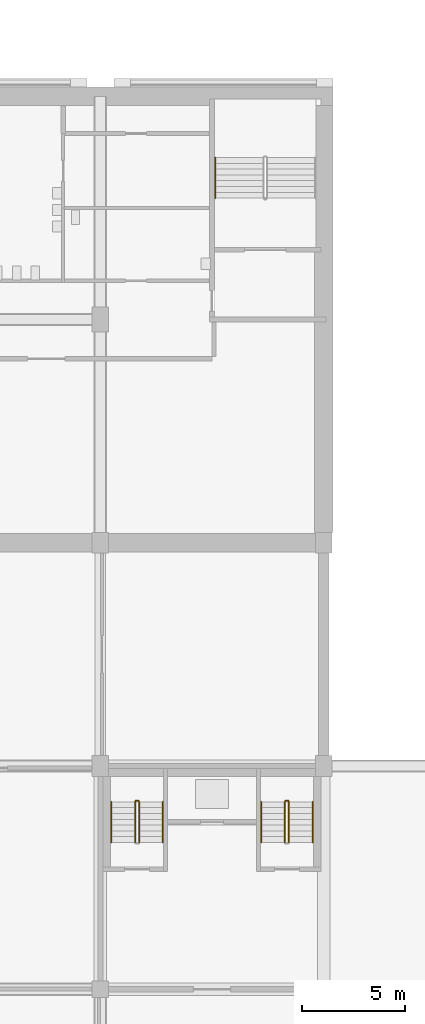
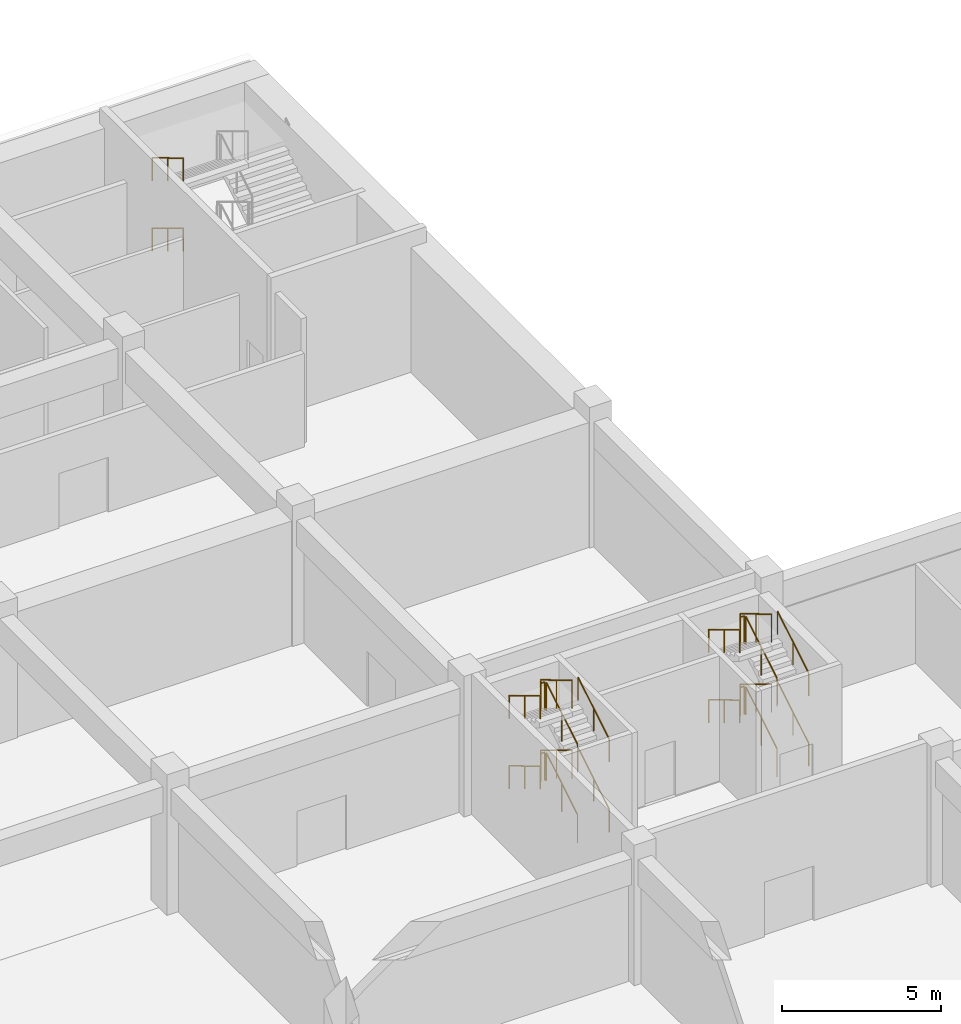
# One storey, part 96 of 101: 22 railings.
"""IFC4 building model written with IfcOpenShell, lengths in metres."""

import ifcopenshell
import ifcopenshell.guid

model = None  # the IFC model being written
_history = None  # IfcOwnerHistory: only IFC2X3 demands one
_inside = {}  # id of a spatial element -> (the spatial element, [elements in it])
_under = {}  # id of a project, library or spatial element -> (it, [spatial elements below it])
_declared = {}  # id of a project -> (the project, [libraries it declares])
_typed = {}  # id of a type object -> (the type object, [elements of that type])
_made_of = {}  # id of a material, layer set ... -> (it, [elements and type objects made of it])


def new_model(schema):
    """Start an empty IFC model of exactly this schema.

    Asked for "IFC4X3", IfcOpenShell would pick the latest addendum, in which some entities
    have other attributes; the version numbers below select the first issue.
    IFC2X3 requires an IfcOwnerHistory on every rooted entity: one is made here for all.
    """
    global model, _history
    if schema == "IFC4X3":
        model = ifcopenshell.file(schema_version=(4, 3, 0, 0))
    else:
        model = ifcopenshell.file(schema=schema)
    _inside.clear()
    _under.clear()
    _declared.clear()
    _typed.clear()
    _made_of.clear()
    _history = None
    if model.schema == "IFC2X3":
        org = make("IfcOrganization", Name="unknown")
        user = make(
            "IfcPersonAndOrganization",
            ThePerson=make("IfcPerson", FamilyName="unknown"),
            TheOrganization=org,
        )
        app = make(
            "IfcApplication",
            ApplicationDeveloper=org,
            Version="unknown",
            ApplicationFullName="unknown",
            ApplicationIdentifier="unknown",
        )
        _history = make(
            "IfcOwnerHistory",
            OwningUser=user,
            OwningApplication=app,
            ChangeAction="ADDED",
            CreationDate=0,
        )
    return model


def make(cls, **values):
    """One entity of the class cls with the attributes given. An attribute that is None is left unset."""
    return model.create_entity(
        cls, **{name: value for name, value in values.items() if value is not None}
    )


def rooted(cls, **values):
    """An entity with a GlobalId (a new one), such as an element, a storey or a relation."""
    return make(cls, GlobalId=ifcopenshell.guid.new(), OwnerHistory=_history, **values)


def si_unit(unit_type, name, prefix=None):
    """IfcSIUnit, for example si_unit("LENGTHUNIT", "METRE", prefix="MILLI")."""
    return make("IfcSIUnit", UnitType=unit_type, Prefix=prefix, Name=name)


def assignment(units):
    """IfcUnitAssignment: the units of a project."""
    return None if units is None else make("IfcUnitAssignment", Units=units)


def point(xyz):
    """IfcCartesianPoint."""
    return None if xyz is None else make("IfcCartesianPoint", Coordinates=xyz)


def direction(xyz):
    """IfcDirection."""
    return None if xyz is None else make("IfcDirection", DirectionRatios=xyz)


def frame(location, z_axis=None, x_axis=None):
    """IfcAxis2Placement3D, a coordinate frame: its origin and axes. An axis left out is left unset."""
    return make(
        "IfcAxis2Placement3D",
        Location=point(location),
        Axis=direction(z_axis),
        RefDirection=direction(x_axis),
    )


def frame_2d(location, x_axis=None):
    """IfcAxis2Placement2D, a coordinate frame in the plane: its origin and x axis."""
    return make(
        "IfcAxis2Placement2D", Location=point(location), RefDirection=direction(x_axis)
    )


def origin():
    """The frame at (0, 0, 0) with its axes left unset."""
    return frame((0.0, 0.0, 0.0))


def origin_2d():
    """The frame at (0, 0) in the plane with its x axis left unset."""
    return frame_2d((0.0, 0.0))


def place(relative_to, where):
    """IfcLocalPlacement: puts the frame where relative to a parent placement (None: the world)."""
    return make(
        "IfcLocalPlacement", PlacementRelTo=relative_to, RelativePlacement=where
    )


def context(
    kind, dimensions, precision=None, world=None, true_north=None, identifier=None
):
    """IfcGeometricRepresentationContext, for example the 3D "Model" context."""
    return make(
        "IfcGeometricRepresentationContext",
        ContextIdentifier=identifier,
        ContextType=kind,
        CoordinateSpaceDimension=dimensions,
        Precision=precision,
        WorldCoordinateSystem=world,
        TrueNorth=true_north,
    )


def subcontext(parent, identifier, kind, view, scale=None):
    """IfcGeometricRepresentationSubContext, for example "Body" below "Model"."""
    return make(
        "IfcGeometricRepresentationSubContext",
        ContextIdentifier=identifier,
        ContextType=kind,
        ParentContext=parent,
        TargetScale=scale,
        TargetView=view,
    )


def project(units=None, contexts=None):
    """IfcProject with its units and contexts."""
    return rooted(
        "IfcProject",
        Name="project",
        RepresentationContexts=contexts,
        UnitsInContext=assignment(units),
    )


def spatial(cls, under=None, at=None, **own):
    """A site, building, storey or space (cls), placed at a placement, below another one or the project."""
    s = rooted(cls, ObjectPlacement=at, **own)
    if under is not None:
        _under.setdefault(under.id(), (under, []))[1].append(s)
    return s


def profile(cls, at=None, kind="AREA", **sizes):
    """A parametric profile (cls). Its sizes go by their IFC names, for example OverallWidth=200.0."""
    return make(cls, ProfileType=kind, Position=at, **sizes)


def circle(**sizes):
    """IfcCircleProfileDef."""
    return profile("IfcCircleProfileDef", **sizes)


def extrude(swept, where, along, depth):
    """IfcExtrudedAreaSolid: the profile swept, set in the frame where, extruded along a direction by depth."""
    return make(
        "IfcExtrudedAreaSolid",
        SweptArea=swept,
        Position=where,
        ExtrudedDirection=direction(along),
        Depth=depth,
    )


def shape(context_of_items, identifier, shape_type, items):
    """IfcShapeRepresentation: the items that make up one representation, for example the "Body"."""
    return make(
        "IfcShapeRepresentation",
        ContextOfItems=context_of_items,
        RepresentationIdentifier=identifier,
        RepresentationType=shape_type,
        Items=items,
    )


def material(Name=None, Category=None):
    """IfcMaterial."""
    return make("IfcMaterial", Name=Name, Category=Category)


def made_of(thing, what):
    """Note that an element or type object is made of a material, layer set ...; save() writes the relation."""
    if what is not None:
        _made_of.setdefault(what.id(), (what, []))[1].append(thing)
    return thing


def type_object(cls, material=None, **own):
    """A type object (cls), such as IfcWallType, which elements share."""
    return made_of(rooted(cls, **own), material)


def element(
    cls,
    number,
    at=None,
    inside=None,
    cuts=None,
    type_object=None,
    material=None,
    context=None,
    identifier="Body",
    shape_type=None,
    held_by="IfcProductDefinitionShape",
    body=None,
    shapes=None,
    **own,
):
    """One element of the class cls, such as IfcWall. Its Tag is "e" and its number.

    at: its placement. inside: the storey or other place that contains it. cuts: it is an
    opening in that element (IfcRelVoidsElement). A single representation is given by context,
    identifier, shape_type and body (its items); several are given by shapes. held_by: the class
    of the entity that holds the representations. save() writes the other relations.
    """
    e = rooted(cls, Tag="e%d" % number, ObjectPlacement=at, **own)
    if body is not None:
        shapes = [shape(context, identifier, shape_type, body)]
    if shapes is not None:
        e.Representation = make(held_by, Representations=shapes)
    if inside is not None:
        _inside.setdefault(inside.id(), (inside, []))[1].append(e)
    if cuts is not None:
        rooted(
            "IfcRelVoidsElement", RelatingBuildingElement=cuts, RelatedOpeningElement=e
        )
    if type_object is not None:
        _typed.setdefault(type_object.id(), (type_object, []))[1].append(e)
    return made_of(e, material)


def aggregate(whole, parts):
    """IfcRelAggregates: a whole, such as a stair, and the parts it consists of."""
    return rooted("IfcRelAggregates", RelatingObject=whole, RelatedObjects=parts)


def save(model, path):
    """Write the relations noted so far, then the file.

    IfcRelAggregates (storeys below a building ...), IfcRelContainedInSpatialStructure (elements
    in a storey), IfcRelDefinesByType, IfcRelAssociatesMaterial and IfcRelDeclares: one each for
    every whole, place, type object, material and project.
    """
    for whole, parts in _under.values():
        aggregate(whole, parts)
    for where, things in _inside.values():
        rooted(
            "IfcRelContainedInSpatialStructure",
            RelatedElements=things,
            RelatingStructure=where,
        )
    for kind, things in _typed.values():
        rooted("IfcRelDefinesByType", RelatedObjects=things, RelatingType=kind)
    for what, things in _made_of.values():
        rooted("IfcRelAssociatesMaterial", RelatedObjects=things, RelatingMaterial=what)
    for by, libraries in _declared.values():
        rooted("IfcRelDeclares", RelatingContext=by, RelatedDefinitions=libraries)
    model.write(path)


model = new_model("IFC4")

# Units and contexts
model_context = context("Model", 3, precision=1e-05, world=origin(), true_north=direction((0.0, 1.0)))
body_context = subcontext(model_context, "Body", "Model", "MODEL_VIEW")
ifc_project = project(units=[si_unit("LENGTHUNIT", "METRE"), si_unit("AREAUNIT", "SQUARE_METRE"), si_unit("VOLUMEUNIT", "CUBIC_METRE"), si_unit("PLANEANGLEUNIT", "RADIAN"), si_unit("MASSUNIT", "GRAM", prefix="KILO")], contexts=[model_context])

# Site, building, storey
site_placement = place(None, origin())
site = spatial("IfcSite", under=ifc_project, at=site_placement, CompositionType="ELEMENT")
building_placement = place(site_placement, origin())
building = spatial("IfcBuilding", under=site, at=building_placement, Name="Magnolia Steps Interchange", CompositionType="ELEMENT")
storey_placement = place(building_placement, frame((0.0, 0.0, -5.39990234375)))
storey = spatial("IfcBuildingStorey", under=building, at=storey_placement, Name="B1", CompositionType="ELEMENT", Elevation=-5.39990234375)

# Railings
ifc_material_1 = material(Name="Stainless steel grade 304", Category="steel")
railing_type_1 = type_object("IfcRailingType", Name="Stair guard 1100", PredefinedType="GUARDRAIL", material=ifc_material_1)
railing_1_placement = place(storey_placement, frame((173.8740234375, 38.699951171875, 0.168701171875)))
element("IfcRailing", 1, at=railing_1_placement, inside=storey, type_object=railing_type_1, Name="B1 ST23 stair guard 1", PredefinedType="GUARDRAIL", context=body_context, shape_type="SweptSolid", body=[
    extrude(circle(Radius=0.02392578125, at=origin_2d()), frame((0.0, 0.0, 1.076171875), z_axis=(0.0, 0.856493463811, 0.516157869696), x_axis=(-1.0, 0.0, 0.0)), (0.0, 0.0, 1.0), 2.288330078125),
    extrude(circle(Radius=0.02099609375, at=origin_2d()), origin(), (0.0, 0.0, 1.0), 1.052001953125),
    extrude(circle(Radius=0.02099609375, at=origin_2d()), frame((0.0, 0.97998046875, 0.590576171875)), (0.0, 0.0, 1.0), 1.052001953125),
    extrude(circle(Radius=0.02099609375, at=origin_2d()), frame((0.0, 1.9599609375, 1.18115234375)), (0.0, 0.0, 1.0), 1.052001953125),
])
railing_2_placement = place(storey_placement, frame((173.85009765625, 40.7099609375, 1.349853515625)))
element("IfcRailing", 2, at=railing_2_placement, inside=storey, type_object=railing_type_1, Name="B1 ST23 stair guard 2", PredefinedType="GUARDRAIL", context=body_context, shape_type="SweptSolid", body=[
    extrude(circle(Radius=0.02392578125, at=origin_2d()), frame((0.0, 0.0, 1.076171875), z_axis=(-1.0, 0.0, 0.0), x_axis=(0.0, -1.0, 0.0)), (0.0, 0.0, 1.0), 0.150146484375),
    extrude(circle(Radius=0.02099609375, at=origin_2d()), origin(), (0.0, 0.0, 1.0), 1.052001953125),
    extrude(circle(Radius=0.02099609375, at=origin_2d()), frame((-0.150146484375, 0.0, 0.0)), (0.0, 0.0, 1.0), 1.052001953125),
])
railing_3_placement = place(storey_placement, frame((173.676025390625, 40.659912109375, 1.5185546875)))
element("IfcRailing", 3, at=railing_3_placement, inside=storey, type_object=railing_type_1, Name="B1 ST23 stair guard 3", PredefinedType="GUARDRAIL", context=body_context, shape_type="SweptSolid", body=[
    extrude(circle(Radius=0.02392578125, at=origin_2d()), frame((0.0, 0.0, 1.076171875), z_axis=(0.0, -0.856446297458, 0.516236127728), x_axis=(1.0, 0.0, 0.0)), (0.0, 0.0, 1.0), 2.28857421875),
    extrude(circle(Radius=0.02099609375, at=origin_2d()), origin(), (0.0, 0.0, 1.0), 1.052001953125),
    extrude(circle(Radius=0.02099609375, at=origin_2d()), frame((0.0, -0.97998046875, 0.5908203125)), (0.0, 0.0, 1.0), 1.052001953125),
    extrude(circle(Radius=0.02099609375, at=origin_2d()), frame((0.0, -1.9599609375, 1.181396484375)), (0.0, 0.0, 1.0), 1.052001953125),
])
railing_4_placement = place(storey_placement, frame((173.8740234375, 38.699951171875, 2.86865234375)))
element("IfcRailing", 4, at=railing_4_placement, inside=storey, type_object=railing_type_1, Name="B1 ST23 stair guard 5", PredefinedType="GUARDRAIL", context=body_context, shape_type="SweptSolid", body=[
    extrude(circle(Radius=0.02392578125, at=origin_2d()), frame((0.0, 0.0, 1.076171875), z_axis=(0.0, 0.856493463811, 0.516157869696), x_axis=(-1.0, 0.0, 0.0)), (0.0, 0.0, 1.0), 2.288330078125),
    extrude(circle(Radius=0.02099609375, at=origin_2d()), origin(), (0.0, 0.0, 1.0), 1.052001953125),
    extrude(circle(Radius=0.02099609375, at=origin_2d()), frame((0.0, 0.97998046875, 0.590576171875)), (0.0, 0.0, 1.0), 1.052001953125),
    extrude(circle(Radius=0.02099609375, at=origin_2d()), frame((0.0, 1.9599609375, 1.18115234375)), (0.0, 0.0, 1.0), 1.052001953125),
])
railing_5_placement = place(storey_placement, frame((173.85009765625, 40.7099609375, 4.0498046875)))
element("IfcRailing", 5, at=railing_5_placement, inside=storey, type_object=railing_type_1, Name="B1 ST23 stair guard 6", PredefinedType="GUARDRAIL", context=body_context, shape_type="SweptSolid", body=[
    extrude(circle(Radius=0.02392578125, at=origin_2d()), frame((0.0, 0.0, 1.076171875), z_axis=(-1.0, 0.0, 0.0), x_axis=(0.0, -1.0, 0.0)), (0.0, 0.0, 1.0), 0.150146484375),
    extrude(circle(Radius=0.02099609375, at=origin_2d()), origin(), (0.0, 0.0, 1.0), 1.052001953125),
    extrude(circle(Radius=0.02099609375, at=origin_2d()), frame((-0.150146484375, 0.0, 0.0)), (0.0, 0.0, 1.0), 1.052001953125),
])
railing_6_placement = place(storey_placement, frame((173.676025390625, 40.659912109375, 4.21875)))
element("IfcRailing", 6, at=railing_6_placement, inside=storey, type_object=railing_type_1, Name="B1 ST23 stair guard 7", PredefinedType="GUARDRAIL", context=body_context, shape_type="SweptSolid", body=[
    extrude(circle(Radius=0.02392578125, at=origin_2d()), frame((0.0, 0.0, 1.076171875), z_axis=(0.0, -0.856493463811, 0.516157869696), x_axis=(1.0, 0.0, 0.0)), (0.0, 0.0, 1.0), 2.288330078125),
    extrude(circle(Radius=0.02099609375, at=origin_2d()), origin(), (0.0, 0.0, 1.0), 1.052001953125),
    extrude(circle(Radius=0.02099609375, at=origin_2d()), frame((0.0, -0.97998046875, 0.590576171875)), (0.0, 0.0, 1.0), 1.052001953125),
    extrude(circle(Radius=0.02099609375, at=origin_2d()), frame((0.0, -1.9599609375, 1.18115234375)), (0.0, 0.0, 1.0), 1.052001953125),
])
railing_7_placement = place(storey_placement, frame((181.1240234375, 38.699951171875, 0.168701171875)))
element("IfcRailing", 7, at=railing_7_placement, inside=storey, type_object=railing_type_1, Name="B1 ST24 stair guard 1", PredefinedType="GUARDRAIL", context=body_context, shape_type="SweptSolid", body=[
    extrude(circle(Radius=0.02392578125, at=origin_2d()), frame((0.0, 0.0, 1.076171875), z_axis=(0.0, 0.856493463811, 0.516157869696), x_axis=(-1.0, 0.0, 0.0)), (0.0, 0.0, 1.0), 2.288330078125),
    extrude(circle(Radius=0.02099609375, at=origin_2d()), origin(), (0.0, 0.0, 1.0), 1.052001953125),
    extrude(circle(Radius=0.02099609375, at=origin_2d()), frame((0.0, 0.97998046875, 0.590576171875)), (0.0, 0.0, 1.0), 1.052001953125),
    extrude(circle(Radius=0.02099609375, at=origin_2d()), frame((0.0, 1.9599609375, 1.18115234375)), (0.0, 0.0, 1.0), 1.052001953125),
])
railing_8_placement = place(storey_placement, frame((181.10009765625, 40.7099609375, 1.349853515625)))
element("IfcRailing", 8, at=railing_8_placement, inside=storey, type_object=railing_type_1, Name="B1 ST24 stair guard 2", PredefinedType="GUARDRAIL", context=body_context, shape_type="SweptSolid", body=[
    extrude(circle(Radius=0.02392578125, at=origin_2d()), frame((0.0, 0.0, 1.076171875), z_axis=(-1.0, 0.0, 0.0), x_axis=(0.0, -1.0, 0.0)), (0.0, 0.0, 1.0), 0.150146484375),
    extrude(circle(Radius=0.02099609375, at=origin_2d()), origin(), (0.0, 0.0, 1.0), 1.052001953125),
    extrude(circle(Radius=0.02099609375, at=origin_2d()), frame((-0.150146484375, 0.0, 0.0)), (0.0, 0.0, 1.0), 1.052001953125),
])
railing_9_placement = place(storey_placement, frame((180.926025390625, 40.659912109375, 1.5185546875)))
element("IfcRailing", 9, at=railing_9_placement, inside=storey, type_object=railing_type_1, Name="B1 ST24 stair guard 3", PredefinedType="GUARDRAIL", context=body_context, shape_type="SweptSolid", body=[
    extrude(circle(Radius=0.02392578125, at=origin_2d()), frame((0.0, 0.0, 1.076171875), z_axis=(0.0, -0.856446297458, 0.516236127728), x_axis=(1.0, 0.0, 0.0)), (0.0, 0.0, 1.0), 2.28857421875),
    extrude(circle(Radius=0.02099609375, at=origin_2d()), origin(), (0.0, 0.0, 1.0), 1.052001953125),
    extrude(circle(Radius=0.02099609375, at=origin_2d()), frame((0.0, -0.97998046875, 0.5908203125)), (0.0, 0.0, 1.0), 1.052001953125),
    extrude(circle(Radius=0.02099609375, at=origin_2d()), frame((0.0, -1.9599609375, 1.181396484375)), (0.0, 0.0, 1.0), 1.052001953125),
])
railing_10_placement = place(storey_placement, frame((181.1240234375, 38.699951171875, 2.86865234375)))
element("IfcRailing", 10, at=railing_10_placement, inside=storey, type_object=railing_type_1, Name="B1 ST24 stair guard 5", PredefinedType="GUARDRAIL", context=body_context, shape_type="SweptSolid", body=[
    extrude(circle(Radius=0.02392578125, at=origin_2d()), frame((0.0, 0.0, 1.076171875), z_axis=(0.0, 0.856493463811, 0.516157869696), x_axis=(-1.0, 0.0, 0.0)), (0.0, 0.0, 1.0), 2.288330078125),
    extrude(circle(Radius=0.02099609375, at=origin_2d()), origin(), (0.0, 0.0, 1.0), 1.052001953125),
    extrude(circle(Radius=0.02099609375, at=origin_2d()), frame((0.0, 0.97998046875, 0.590576171875)), (0.0, 0.0, 1.0), 1.052001953125),
    extrude(circle(Radius=0.02099609375, at=origin_2d()), frame((0.0, 1.9599609375, 1.18115234375)), (0.0, 0.0, 1.0), 1.052001953125),
])
railing_11_placement = place(storey_placement, frame((181.10009765625, 40.7099609375, 4.0498046875)))
element("IfcRailing", 11, at=railing_11_placement, inside=storey, type_object=railing_type_1, Name="B1 ST24 stair guard 6", PredefinedType="GUARDRAIL", context=body_context, shape_type="SweptSolid", body=[
    extrude(circle(Radius=0.02392578125, at=origin_2d()), frame((0.0, 0.0, 1.076171875), z_axis=(-1.0, 0.0, 0.0), x_axis=(0.0, -1.0, 0.0)), (0.0, 0.0, 1.0), 0.150146484375),
    extrude(circle(Radius=0.02099609375, at=origin_2d()), origin(), (0.0, 0.0, 1.0), 1.052001953125),
    extrude(circle(Radius=0.02099609375, at=origin_2d()), frame((-0.150146484375, 0.0, 0.0)), (0.0, 0.0, 1.0), 1.052001953125),
])
railing_12_placement = place(storey_placement, frame((180.926025390625, 40.659912109375, 4.21875)))
element("IfcRailing", 12, at=railing_12_placement, inside=storey, type_object=railing_type_1, Name="B1 ST24 stair guard 7", PredefinedType="GUARDRAIL", context=body_context, shape_type="SweptSolid", body=[
    extrude(circle(Radius=0.02392578125, at=origin_2d()), frame((0.0, 0.0, 1.076171875), z_axis=(0.0, -0.856493463811, 0.516157869696), x_axis=(1.0, 0.0, 0.0)), (0.0, 0.0, 1.0), 2.288330078125),
    extrude(circle(Radius=0.02099609375, at=origin_2d()), origin(), (0.0, 0.0, 1.0), 1.052001953125),
    extrude(circle(Radius=0.02099609375, at=origin_2d()), frame((0.0, -0.97998046875, 0.590576171875)), (0.0, 0.0, 1.0), 1.052001953125),
    extrude(circle(Radius=0.02099609375, at=origin_2d()), frame((0.0, -1.9599609375, 1.18115234375)), (0.0, 0.0, 1.0), 1.052001953125),
])
ifc_material_2 = material(Name="Stainless steel grade 304", Category="steel")
railing_type_2 = type_object("IfcRailingType", Name="Stair handrail 900", PredefinedType="HANDRAIL", material=ifc_material_2)
railing_13_placement = place(storey_placement, frame((177.549072265625, 71.8349609375, 1.5185546875)))
element("IfcRailing", 13, at=railing_13_placement, inside=storey, type_object=railing_type_2, Name="B1 ST16 stair handrail 2", PredefinedType="HANDRAIL", context=body_context, shape_type="SweptSolid", body=[
    extrude(circle(Radius=0.02392578125, at=origin_2d()), frame((0.0, 0.0, 0.8759765625), z_axis=(0.0, -0.856446297458, 0.516236127728), x_axis=(1.0, 0.0, 0.0)), (0.0, 0.0, 1.0), 2.28857421875),
    extrude(circle(Radius=0.02099609375, at=origin_2d()), origin(), (0.0, 0.0, 1.0), 0.851806640625),
    extrude(circle(Radius=0.02099609375, at=origin_2d()), frame((0.0, -0.97998046875, 0.5908203125)), (0.0, 0.0, 1.0), 0.851806640625),
    extrude(circle(Radius=0.02099609375, at=origin_2d()), frame((0.0, -1.9599609375, 1.181396484375)), (0.0, 0.0, 1.0), 0.851806640625),
])
railing_14_placement = place(storey_placement, frame((177.549072265625, 71.8349609375, 4.21875)))
element("IfcRailing", 14, at=railing_14_placement, inside=storey, type_object=railing_type_2, Name="B1 ST16 stair handrail 4", PredefinedType="HANDRAIL", context=body_context, shape_type="SweptSolid", body=[
    extrude(circle(Radius=0.02392578125, at=origin_2d()), frame((0.0, 0.0, 0.8759765625), z_axis=(0.0, -0.856493463811, 0.516157869696), x_axis=(1.0, 0.0, 0.0)), (0.0, 0.0, 1.0), 2.288330078125),
    extrude(circle(Radius=0.02099609375, at=origin_2d()), origin(), (0.0, 0.0, 1.0), 0.851806640625),
    extrude(circle(Radius=0.02099609375, at=origin_2d()), frame((0.0, -0.97998046875, 0.590576171875)), (0.0, 0.0, 1.0), 0.851806640625),
    extrude(circle(Radius=0.02099609375, at=origin_2d()), frame((0.0, -1.9599609375, 1.18115234375)), (0.0, 0.0, 1.0), 0.851806640625),
])
railing_15_placement = place(storey_placement, frame((175.02587890625, 38.699951171875, 0.168701171875)))
element("IfcRailing", 15, at=railing_15_placement, inside=storey, type_object=railing_type_2, Name="B1 ST23 stair handrail 1", PredefinedType="HANDRAIL", context=body_context, shape_type="SweptSolid", body=[
    extrude(circle(Radius=0.02392578125, at=origin_2d()), frame((0.0, 0.0, 0.8759765625), z_axis=(0.0, 0.856493463811, 0.516157869696), x_axis=(-1.0, 0.0, 0.0)), (0.0, 0.0, 1.0), 2.288330078125),
    extrude(circle(Radius=0.02099609375, at=origin_2d()), origin(), (0.0, 0.0, 1.0), 0.851806640625),
    extrude(circle(Radius=0.02099609375, at=origin_2d()), frame((0.0, 0.97998046875, 0.590576171875)), (0.0, 0.0, 1.0), 0.851806640625),
    extrude(circle(Radius=0.02099609375, at=origin_2d()), frame((0.0, 1.9599609375, 1.18115234375)), (0.0, 0.0, 1.0), 0.851806640625),
])
railing_16_placement = place(storey_placement, frame((172.52392578125, 40.659912109375, 1.5185546875)))
element("IfcRailing", 16, at=railing_16_placement, inside=storey, type_object=railing_type_2, Name="B1 ST23 stair handrail 2", PredefinedType="HANDRAIL", context=body_context, shape_type="SweptSolid", body=[
    extrude(circle(Radius=0.02392578125, at=origin_2d()), frame((0.0, 0.0, 0.8759765625), z_axis=(0.0, -0.856446297458, 0.516236127728), x_axis=(1.0, 0.0, 0.0)), (0.0, 0.0, 1.0), 2.28857421875),
    extrude(circle(Radius=0.02099609375, at=origin_2d()), origin(), (0.0, 0.0, 1.0), 0.851806640625),
    extrude(circle(Radius=0.02099609375, at=origin_2d()), frame((0.0, -0.97998046875, 0.5908203125)), (0.0, 0.0, 1.0), 0.851806640625),
    extrude(circle(Radius=0.02099609375, at=origin_2d()), frame((0.0, -1.9599609375, 1.181396484375)), (0.0, 0.0, 1.0), 0.851806640625),
])
railing_17_placement = place(storey_placement, frame((175.02587890625, 38.699951171875, 2.86865234375)))
element("IfcRailing", 17, at=railing_17_placement, inside=storey, type_object=railing_type_2, Name="B1 ST23 stair handrail 3", PredefinedType="HANDRAIL", context=body_context, shape_type="SweptSolid", body=[
    extrude(circle(Radius=0.02392578125, at=origin_2d()), frame((0.0, 0.0, 0.8759765625), z_axis=(0.0, 0.856493463811, 0.516157869696), x_axis=(-1.0, 0.0, 0.0)), (0.0, 0.0, 1.0), 2.288330078125),
    extrude(circle(Radius=0.02099609375, at=origin_2d()), origin(), (0.0, 0.0, 1.0), 0.851806640625),
    extrude(circle(Radius=0.02099609375, at=origin_2d()), frame((0.0, 0.97998046875, 0.590576171875)), (0.0, 0.0, 1.0), 0.851806640625),
    extrude(circle(Radius=0.02099609375, at=origin_2d()), frame((0.0, 1.9599609375, 1.18115234375)), (0.0, 0.0, 1.0), 0.851806640625),
])
railing_18_placement = place(storey_placement, frame((172.52392578125, 40.659912109375, 4.21875)))
element("IfcRailing", 18, at=railing_18_placement, inside=storey, type_object=railing_type_2, Name="B1 ST23 stair handrail 4", PredefinedType="HANDRAIL", context=body_context, shape_type="SweptSolid", body=[
    extrude(circle(Radius=0.02392578125, at=origin_2d()), frame((0.0, 0.0, 0.8759765625), z_axis=(0.0, -0.856493463811, 0.516157869696), x_axis=(1.0, 0.0, 0.0)), (0.0, 0.0, 1.0), 2.288330078125),
    extrude(circle(Radius=0.02099609375, at=origin_2d()), origin(), (0.0, 0.0, 1.0), 0.851806640625),
    extrude(circle(Radius=0.02099609375, at=origin_2d()), frame((0.0, -0.97998046875, 0.590576171875)), (0.0, 0.0, 1.0), 0.851806640625),
    extrude(circle(Radius=0.02099609375, at=origin_2d()), frame((0.0, -1.9599609375, 1.18115234375)), (0.0, 0.0, 1.0), 0.851806640625),
])
railing_19_placement = place(storey_placement, frame((182.27587890625, 38.699951171875, 0.168701171875)))
element("IfcRailing", 19, at=railing_19_placement, inside=storey, type_object=railing_type_2, Name="B1 ST24 stair handrail 1", PredefinedType="HANDRAIL", context=body_context, shape_type="SweptSolid", body=[
    extrude(circle(Radius=0.02392578125, at=origin_2d()), frame((0.0, 0.0, 0.8759765625), z_axis=(0.0, 0.856493463811, 0.516157869696), x_axis=(-1.0, 0.0, 0.0)), (0.0, 0.0, 1.0), 2.288330078125),
    extrude(circle(Radius=0.02099609375, at=origin_2d()), origin(), (0.0, 0.0, 1.0), 0.851806640625),
    extrude(circle(Radius=0.02099609375, at=origin_2d()), frame((0.0, 0.97998046875, 0.590576171875)), (0.0, 0.0, 1.0), 0.851806640625),
    extrude(circle(Radius=0.02099609375, at=origin_2d()), frame((0.0, 1.9599609375, 1.18115234375)), (0.0, 0.0, 1.0), 0.851806640625),
])
railing_20_placement = place(storey_placement, frame((179.77392578125, 40.659912109375, 1.5185546875)))
element("IfcRailing", 20, at=railing_20_placement, inside=storey, type_object=railing_type_2, Name="B1 ST24 stair handrail 2", PredefinedType="HANDRAIL", context=body_context, shape_type="SweptSolid", body=[
    extrude(circle(Radius=0.02392578125, at=origin_2d()), frame((0.0, 0.0, 0.8759765625), z_axis=(0.0, -0.856446297458, 0.516236127728), x_axis=(1.0, 0.0, 0.0)), (0.0, 0.0, 1.0), 2.28857421875),
    extrude(circle(Radius=0.02099609375, at=origin_2d()), origin(), (0.0, 0.0, 1.0), 0.851806640625),
    extrude(circle(Radius=0.02099609375, at=origin_2d()), frame((0.0, -0.97998046875, 0.5908203125)), (0.0, 0.0, 1.0), 0.851806640625),
    extrude(circle(Radius=0.02099609375, at=origin_2d()), frame((0.0, -1.9599609375, 1.181396484375)), (0.0, 0.0, 1.0), 0.851806640625),
])
railing_21_placement = place(storey_placement, frame((182.27587890625, 38.699951171875, 2.86865234375)))
element("IfcRailing", 21, at=railing_21_placement, inside=storey, type_object=railing_type_2, Name="B1 ST24 stair handrail 3", PredefinedType="HANDRAIL", context=body_context, shape_type="SweptSolid", body=[
    extrude(circle(Radius=0.02392578125, at=origin_2d()), frame((0.0, 0.0, 0.8759765625), z_axis=(0.0, 0.856493463811, 0.516157869696), x_axis=(-1.0, 0.0, 0.0)), (0.0, 0.0, 1.0), 2.288330078125),
    extrude(circle(Radius=0.02099609375, at=origin_2d()), origin(), (0.0, 0.0, 1.0), 0.851806640625),
    extrude(circle(Radius=0.02099609375, at=origin_2d()), frame((0.0, 0.97998046875, 0.590576171875)), (0.0, 0.0, 1.0), 0.851806640625),
    extrude(circle(Radius=0.02099609375, at=origin_2d()), frame((0.0, 1.9599609375, 1.18115234375)), (0.0, 0.0, 1.0), 0.851806640625),
])
railing_22_placement = place(storey_placement, frame((179.77392578125, 40.659912109375, 4.21875)))
element("IfcRailing", 22, at=railing_22_placement, inside=storey, type_object=railing_type_2, Name="B1 ST24 stair handrail 4", PredefinedType="HANDRAIL", context=body_context, shape_type="SweptSolid", body=[
    extrude(circle(Radius=0.02392578125, at=origin_2d()), frame((0.0, 0.0, 0.8759765625), z_axis=(0.0, -0.856493463811, 0.516157869696), x_axis=(1.0, 0.0, 0.0)), (0.0, 0.0, 1.0), 2.288330078125),
    extrude(circle(Radius=0.02099609375, at=origin_2d()), origin(), (0.0, 0.0, 1.0), 0.851806640625),
    extrude(circle(Radius=0.02099609375, at=origin_2d()), frame((0.0, -0.97998046875, 0.590576171875)), (0.0, 0.0, 1.0), 0.851806640625),
    extrude(circle(Radius=0.02099609375, at=origin_2d()), frame((0.0, -1.9599609375, 1.18115234375)), (0.0, 0.0, 1.0), 0.851806640625),
])

save(model, "model.ifc")
